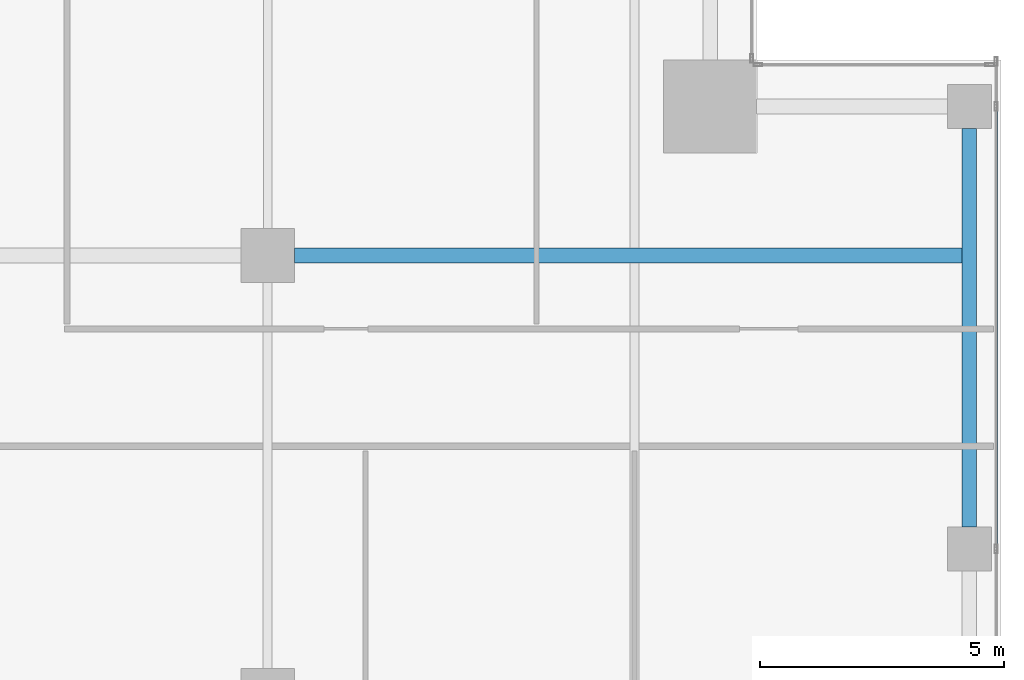
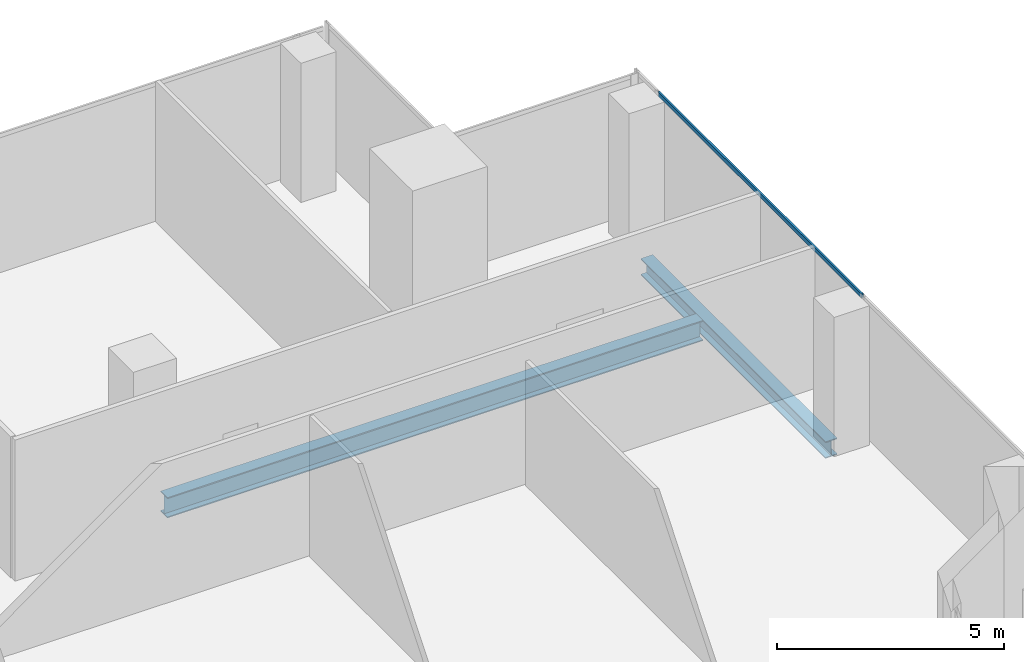
# One storey, part 21 of 35: 2 beams, 1 member, 1 element without a shape of its own.
"""IFC4 building model written with IfcOpenShell, lengths in metres."""

import ifcopenshell
import ifcopenshell.guid

model = None  # the IFC model being written
_history = None  # IfcOwnerHistory: only IFC2X3 demands one
_inside = {}  # id of a spatial element -> (the spatial element, [elements in it])
_under = {}  # id of a project, library or spatial element -> (it, [spatial elements below it])
_declared = {}  # id of a project -> (the project, [libraries it declares])
_typed = {}  # id of a type object -> (the type object, [elements of that type])
_made_of = {}  # id of a material, layer set ... -> (it, [elements and type objects made of it])


def new_model(schema):
    """Start an empty IFC model of exactly this schema.

    Asked for "IFC4X3", IfcOpenShell would pick the latest addendum, in which some entities
    have other attributes; the version numbers below select the first issue.
    IFC2X3 requires an IfcOwnerHistory on every rooted entity: one is made here for all.
    """
    global model, _history
    if schema == "IFC4X3":
        model = ifcopenshell.file(schema_version=(4, 3, 0, 0))
    else:
        model = ifcopenshell.file(schema=schema)
    _inside.clear()
    _under.clear()
    _declared.clear()
    _typed.clear()
    _made_of.clear()
    _history = None
    if model.schema == "IFC2X3":
        org = make("IfcOrganization", Name="unknown")
        user = make(
            "IfcPersonAndOrganization",
            ThePerson=make("IfcPerson", FamilyName="unknown"),
            TheOrganization=org,
        )
        app = make(
            "IfcApplication",
            ApplicationDeveloper=org,
            Version="unknown",
            ApplicationFullName="unknown",
            ApplicationIdentifier="unknown",
        )
        _history = make(
            "IfcOwnerHistory",
            OwningUser=user,
            OwningApplication=app,
            ChangeAction="ADDED",
            CreationDate=0,
        )
    return model


def make(cls, **values):
    """One entity of the class cls with the attributes given. An attribute that is None is left unset."""
    return model.create_entity(
        cls, **{name: value for name, value in values.items() if value is not None}
    )


def rooted(cls, **values):
    """An entity with a GlobalId (a new one), such as an element, a storey or a relation."""
    return make(cls, GlobalId=ifcopenshell.guid.new(), OwnerHistory=_history, **values)


def si_unit(unit_type, name, prefix=None):
    """IfcSIUnit, for example si_unit("LENGTHUNIT", "METRE", prefix="MILLI")."""
    return make("IfcSIUnit", UnitType=unit_type, Prefix=prefix, Name=name)


def assignment(units):
    """IfcUnitAssignment: the units of a project."""
    return None if units is None else make("IfcUnitAssignment", Units=units)


def point(xyz):
    """IfcCartesianPoint."""
    return None if xyz is None else make("IfcCartesianPoint", Coordinates=xyz)


def direction(xyz):
    """IfcDirection."""
    return None if xyz is None else make("IfcDirection", DirectionRatios=xyz)


def frame(location, z_axis=None, x_axis=None):
    """IfcAxis2Placement3D, a coordinate frame: its origin and axes. An axis left out is left unset."""
    return make(
        "IfcAxis2Placement3D",
        Location=point(location),
        Axis=direction(z_axis),
        RefDirection=direction(x_axis),
    )


def frame_2d(location, x_axis=None):
    """IfcAxis2Placement2D, a coordinate frame in the plane: its origin and x axis."""
    return make(
        "IfcAxis2Placement2D", Location=point(location), RefDirection=direction(x_axis)
    )


def origin():
    """The frame at (0, 0, 0) with its axes left unset."""
    return frame((0.0, 0.0, 0.0))


def origin_2d():
    """The frame at (0, 0) in the plane with its x axis left unset."""
    return frame_2d((0.0, 0.0))


def place(relative_to, where):
    """IfcLocalPlacement: puts the frame where relative to a parent placement (None: the world)."""
    return make(
        "IfcLocalPlacement", PlacementRelTo=relative_to, RelativePlacement=where
    )


def context(
    kind, dimensions, precision=None, world=None, true_north=None, identifier=None
):
    """IfcGeometricRepresentationContext, for example the 3D "Model" context."""
    return make(
        "IfcGeometricRepresentationContext",
        ContextIdentifier=identifier,
        ContextType=kind,
        CoordinateSpaceDimension=dimensions,
        Precision=precision,
        WorldCoordinateSystem=world,
        TrueNorth=true_north,
    )


def subcontext(parent, identifier, kind, view, scale=None):
    """IfcGeometricRepresentationSubContext, for example "Body" below "Model"."""
    return make(
        "IfcGeometricRepresentationSubContext",
        ContextIdentifier=identifier,
        ContextType=kind,
        ParentContext=parent,
        TargetScale=scale,
        TargetView=view,
    )


def project(units=None, contexts=None):
    """IfcProject with its units and contexts."""
    return rooted(
        "IfcProject",
        Name="project",
        RepresentationContexts=contexts,
        UnitsInContext=assignment(units),
    )


def spatial(cls, under=None, at=None, **own):
    """A site, building, storey or space (cls), placed at a placement, below another one or the project."""
    s = rooted(cls, ObjectPlacement=at, **own)
    if under is not None:
        _under.setdefault(under.id(), (under, []))[1].append(s)
    return s


def profile(cls, at=None, kind="AREA", **sizes):
    """A parametric profile (cls). Its sizes go by their IFC names, for example OverallWidth=200.0."""
    return make(cls, ProfileType=kind, Position=at, **sizes)


def hollow_rectangle(**sizes):
    """IfcRectangleHollowProfileDef."""
    return profile("IfcRectangleHollowProfileDef", **sizes)


def i_section(**sizes):
    """IfcIShapeProfileDef."""
    return profile("IfcIShapeProfileDef", **sizes)


def extrude(swept, where, along, depth):
    """IfcExtrudedAreaSolid: the profile swept, set in the frame where, extruded along a direction by depth."""
    return make(
        "IfcExtrudedAreaSolid",
        SweptArea=swept,
        Position=where,
        ExtrudedDirection=direction(along),
        Depth=depth,
    )


def shape(context_of_items, identifier, shape_type, items):
    """IfcShapeRepresentation: the items that make up one representation, for example the "Body"."""
    return make(
        "IfcShapeRepresentation",
        ContextOfItems=context_of_items,
        RepresentationIdentifier=identifier,
        RepresentationType=shape_type,
        Items=items,
    )


def source(mapping_origin, context_of_items, identifier, shape_type, items):
    """IfcRepresentationMap: a shape defined once, which mapped items show again and again."""
    return make(
        "IfcRepresentationMap",
        MappingOrigin=mapping_origin,
        MappedRepresentation=shape(context_of_items, identifier, shape_type, items),
    )


def transform(
    local_origin,
    x_axis=None,
    y_axis=None,
    z_axis=None,
    scale=None,
    scale2=None,
    scale3=None,
    uniform=True,
):
    """IfcCartesianTransformationOperator3D, or its non-uniform kind. x_axis, y_axis, z_axis: its Axis1, 2, 3."""
    if uniform:
        return make(
            "IfcCartesianTransformationOperator3D",
            Axis1=direction(x_axis),
            Axis2=direction(y_axis),
            LocalOrigin=point(local_origin),
            Scale=scale,
            Axis3=direction(z_axis),
        )
    return make(
        "IfcCartesianTransformationOperator3DnonUniform",
        Axis1=direction(x_axis),
        Axis2=direction(y_axis),
        LocalOrigin=point(local_origin),
        Scale=scale,
        Axis3=direction(z_axis),
        Scale2=scale2,
        Scale3=scale3,
    )


def mapped(mapping_source, mapping_target):
    """IfcMappedItem: shows the shape of a source again, moved by a transform."""
    return make(
        "IfcMappedItem", MappingSource=mapping_source, MappingTarget=mapping_target
    )


def material(Name=None, Category=None):
    """IfcMaterial."""
    return make("IfcMaterial", Name=Name, Category=Category)


def material_profile(
    of_material, cross_section, Name=None, Category=None, Priority=None
):
    """IfcMaterialProfile: a cross section and its material."""
    return make(
        "IfcMaterialProfile",
        Name=Name,
        Material=of_material,
        Profile=cross_section,
        Priority=Priority,
        Category=Category,
    )


def profile_set(profiles, Name=None, composite=None):
    """IfcMaterialProfileSet."""
    return make(
        "IfcMaterialProfileSet",
        Name=Name,
        MaterialProfiles=profiles,
        CompositeProfile=composite,
    )


def made_of(thing, what):
    """Note that an element or type object is made of a material, layer set ...; save() writes the relation."""
    if what is not None:
        _made_of.setdefault(what.id(), (what, []))[1].append(thing)
    return thing


def type_object(cls, material=None, **own):
    """A type object (cls), such as IfcWallType, which elements share."""
    return made_of(rooted(cls, **own), material)


def element(
    cls,
    number,
    at=None,
    inside=None,
    cuts=None,
    type_object=None,
    material=None,
    context=None,
    identifier="Body",
    shape_type=None,
    held_by="IfcProductDefinitionShape",
    body=None,
    shapes=None,
    **own,
):
    """One element of the class cls, such as IfcWall. Its Tag is "e" and its number.

    at: its placement. inside: the storey or other place that contains it. cuts: it is an
    opening in that element (IfcRelVoidsElement). A single representation is given by context,
    identifier, shape_type and body (its items); several are given by shapes. held_by: the class
    of the entity that holds the representations. save() writes the other relations.
    """
    e = rooted(cls, Tag="e%d" % number, ObjectPlacement=at, **own)
    if body is not None:
        shapes = [shape(context, identifier, shape_type, body)]
    if shapes is not None:
        e.Representation = make(held_by, Representations=shapes)
    if inside is not None:
        _inside.setdefault(inside.id(), (inside, []))[1].append(e)
    if cuts is not None:
        rooted(
            "IfcRelVoidsElement", RelatingBuildingElement=cuts, RelatedOpeningElement=e
        )
    if type_object is not None:
        _typed.setdefault(type_object.id(), (type_object, []))[1].append(e)
    return made_of(e, material)


def aggregate(whole, parts):
    """IfcRelAggregates: a whole, such as a stair, and the parts it consists of."""
    return rooted("IfcRelAggregates", RelatingObject=whole, RelatedObjects=parts)


def save(model, path):
    """Write the relations noted so far, then the file.

    IfcRelAggregates (storeys below a building ...), IfcRelContainedInSpatialStructure (elements
    in a storey), IfcRelDefinesByType, IfcRelAssociatesMaterial and IfcRelDeclares: one each for
    every whole, place, type object, material and project.
    """
    for whole, parts in _under.values():
        aggregate(whole, parts)
    for where, things in _inside.values():
        rooted(
            "IfcRelContainedInSpatialStructure",
            RelatedElements=things,
            RelatingStructure=where,
        )
    for kind, things in _typed.values():
        rooted("IfcRelDefinesByType", RelatedObjects=things, RelatingType=kind)
    for what, things in _made_of.values():
        rooted("IfcRelAssociatesMaterial", RelatedObjects=things, RelatingMaterial=what)
    for by, libraries in _declared.values():
        rooted("IfcRelDeclares", RelatingContext=by, RelatedDefinitions=libraries)
    model.write(path)


model = new_model("IFC4")

# Units and contexts
model_context = context("Model", 3, precision=1e-05, world=origin(), true_north=direction((0.0, 1.0)))
body_context = subcontext(model_context, "Body", "Model", "MODEL_VIEW")
ifc_project = project(units=[si_unit("LENGTHUNIT", "METRE"), si_unit("AREAUNIT", "SQUARE_METRE"), si_unit("VOLUMEUNIT", "CUBIC_METRE"), si_unit("PLANEANGLEUNIT", "RADIAN"), si_unit("MASSUNIT", "GRAM", prefix="KILO")], contexts=[model_context])

# Site, building, storey
site_placement = place(None, origin())
site = spatial("IfcSite", under=ifc_project, at=site_placement, CompositionType="ELEMENT")
building_placement = place(site_placement, origin())
building = spatial("IfcBuilding", under=site, at=building_placement, Name="Khomas Fold Tower", CompositionType="ELEMENT")
storey_placement = place(building_placement, frame((0.0, 0.0, 262.199951171875)))
storey = spatial("IfcBuildingStorey", under=building, at=storey_placement, Name="L59", CompositionType="ELEMENT", Elevation=262.199951171875)

# Beams
ifc_material_1 = material(Name="Steel S355", Category="steel")
ifc_material_profile_1 = material_profile(ifc_material_1, i_section(OverallWidth=0.300048828125, OverallDepth=0.449951171875, WebThickness=0.013916015625, FlangeThickness=0.02587890625, at=origin_2d()), Name="HE 450 B")
ifc_profile_set_1 = profile_set([ifc_material_profile_1], Name="Steel S355")
beam_type_1 = type_object("IfcBeamType", Name="HE 450 B spandrel SB4", PredefinedType="SPANDREL", material=ifc_profile_set_1)
shared_shape_1 = source(origin(), body_context, "Body", "SweptSolid", [
    extrude(i_section(OverallWidth=0.300048828125, OverallDepth=0.449951171875, WebThickness=0.013916015625, FlangeThickness=0.02587890625, at=origin_2d()), origin(), (0.0, 0.0, 1.0), 8.150146484375),
])
beam_1_placement = place(storey_placement, frame((48.85009765625, 34.949951171875, -0.474853515625), z_axis=(0.0, 1.0, 0.0), x_axis=(-1.0, 0.0, 0.0)))
element("IfcBeam", 1, at=beam_1_placement, inside=storey, type_object=beam_type_1, Name="SB4", PredefinedType="SPANDREL", context=body_context, shape_type="MappedRepresentation", body=[
    mapped(shared_shape_1, transform((0.0, 0.0, 0.0))),
])
ifc_material_2 = material(Name="Steel S355", Category="steel")
ifc_material_profile_2 = material_profile(ifc_material_2, i_section(OverallWidth=0.300048828125, OverallDepth=0.550048828125, WebThickness=0.014892578125, FlangeThickness=0.029052734375, at=origin_2d()), Name="HE 550 B")
ifc_profile_set_2 = profile_set([ifc_material_profile_2], Name="Steel S355")
beam_type_2 = type_object("IfcBeamType", Name="HE 550 B beam GB4", PredefinedType="BEAM", material=ifc_profile_set_2)
shared_shape_2 = source(origin(), body_context, "Body", "SweptSolid", [
    extrude(i_section(OverallWidth=0.300048828125, OverallDepth=0.550048828125, WebThickness=0.014892578125, FlangeThickness=0.029052734375, at=origin_2d()), origin(), (0.0, 0.0, 1.0), 13.64990234375),
])
beam_2_placement = place(storey_placement, frame((35.050048828125, 40.5, -0.52490234375), z_axis=(1.0, 0.0, 0.0), x_axis=(0.0, 1.0, 0.0)))
element("IfcBeam", 2, at=beam_2_placement, inside=storey, type_object=beam_type_2, Name="GB4", PredefinedType="BEAM", context=body_context, shape_type="MappedRepresentation", body=[
    mapped(shared_shape_2, transform((0.0, 0.0, 0.0))),
])

# Curtain wall, member
ifc_material_3 = material(Name="Aluminium framed double glazing", Category="aluminium")
curtain_wall_type = type_object("IfcCurtainWallType", Name="SK-Unitised clear-glass wall, office floors CW2", PredefinedType="NOTDEFINED", material=ifc_material_3)
curtain_wall_placement = place(storey_placement, origin())
curtain_wall = element("IfcCurtainWall", 3, at=curtain_wall_placement, inside=storey, type_object=curtain_wall_type, Name="CW2 run L59 03-1", PredefinedType="NOTDEFINED")
ifc_material_4 = material(Name="Aluminium", Category="aluminium")
ifc_material_profile_3 = material_profile(ifc_material_4, hollow_rectangle(XDim=0.050048828125, YDim=0.110107421875, WallThickness=0.00390625, at=origin_2d()), Name="SK-Unitised clear-glass wall, office floors transom CW2-T")
ifc_profile_set_3 = profile_set([ifc_material_profile_3], Name="Aluminium")
member_type = type_object("IfcMemberType", Name="SK-Unitised clear-glass wall, office floors transom CW2-T", PredefinedType="USERDEFINED", material=ifc_profile_set_3)
shared_shape_3 = source(origin(), body_context, "Body", "SweptSolid", [
    extrude(hollow_rectangle(XDim=0.050048828125, YDim=0.110107421875, WallThickness=0.00390625, at=origin_2d()), origin(), (0.0, 0.0, 1.0), 8.989990234375),
])
member_placement = place(storey_placement, frame((49.39990234375, 34.530029296875, 3.695068359375), z_axis=(0.0, 1.0, 0.0), x_axis=(-1.0, 0.0, 0.0)))
member = element("IfcMember", 4, at=member_placement, type_object=member_type, Name="CW2 transom 3", ObjectType="TRANSOM", PredefinedType="USERDEFINED", context=body_context, shape_type="MappedRepresentation", body=[
    mapped(shared_shape_3, transform((0.0, 0.0, 0.0))),
])
aggregate(curtain_wall, [member])

save(model, "model.ifc")
